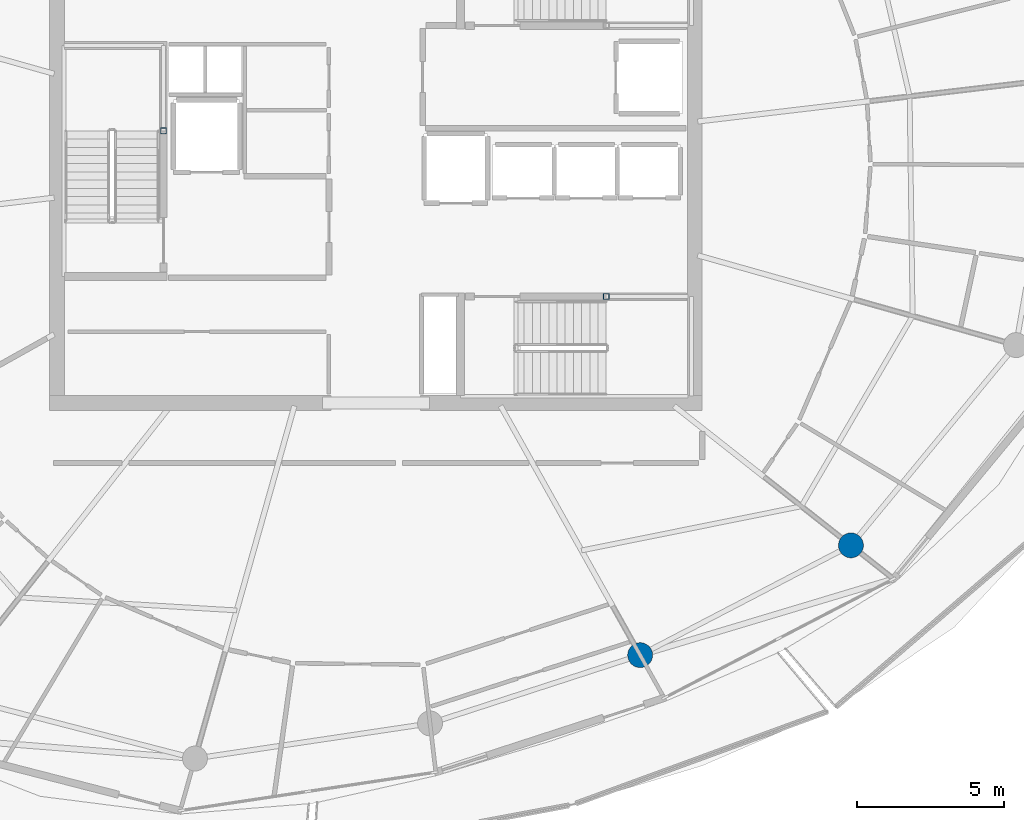
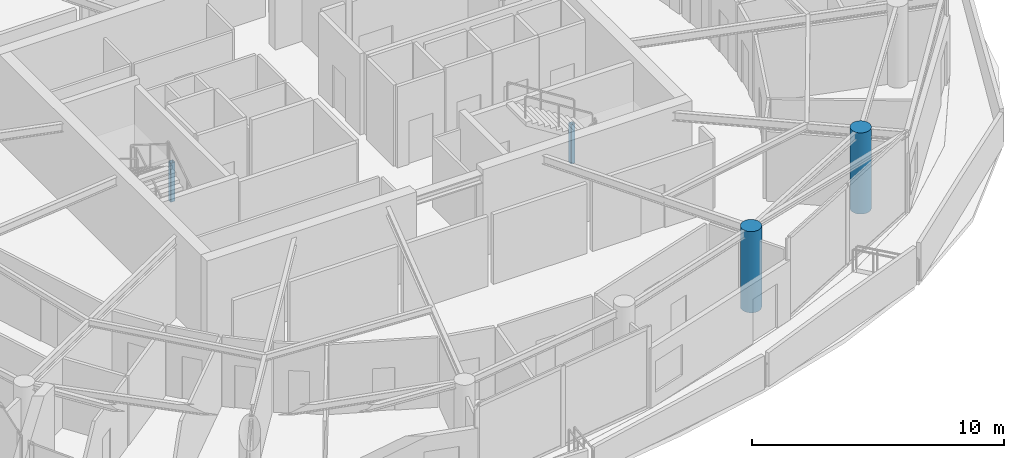
# One storey, part 2 of 20: 4 columns.
"""IFC4 building model written with IfcOpenShell, lengths in metres."""

import ifcopenshell
import ifcopenshell.guid

model = None  # the IFC model being written
_history = None  # IfcOwnerHistory: only IFC2X3 demands one
_inside = {}  # id of a spatial element -> (the spatial element, [elements in it])
_under = {}  # id of a project, library or spatial element -> (it, [spatial elements below it])
_declared = {}  # id of a project -> (the project, [libraries it declares])
_typed = {}  # id of a type object -> (the type object, [elements of that type])
_made_of = {}  # id of a material, layer set ... -> (it, [elements and type objects made of it])


def new_model(schema):
    """Start an empty IFC model of exactly this schema.

    Asked for "IFC4X3", IfcOpenShell would pick the latest addendum, in which some entities
    have other attributes; the version numbers below select the first issue.
    IFC2X3 requires an IfcOwnerHistory on every rooted entity: one is made here for all.
    """
    global model, _history
    if schema == "IFC4X3":
        model = ifcopenshell.file(schema_version=(4, 3, 0, 0))
    else:
        model = ifcopenshell.file(schema=schema)
    _inside.clear()
    _under.clear()
    _declared.clear()
    _typed.clear()
    _made_of.clear()
    _history = None
    if model.schema == "IFC2X3":
        org = make("IfcOrganization", Name="unknown")
        user = make(
            "IfcPersonAndOrganization",
            ThePerson=make("IfcPerson", FamilyName="unknown"),
            TheOrganization=org,
        )
        app = make(
            "IfcApplication",
            ApplicationDeveloper=org,
            Version="unknown",
            ApplicationFullName="unknown",
            ApplicationIdentifier="unknown",
        )
        _history = make(
            "IfcOwnerHistory",
            OwningUser=user,
            OwningApplication=app,
            ChangeAction="ADDED",
            CreationDate=0,
        )
    return model


def make(cls, **values):
    """One entity of the class cls with the attributes given. An attribute that is None is left unset."""
    return model.create_entity(
        cls, **{name: value for name, value in values.items() if value is not None}
    )


def rooted(cls, **values):
    """An entity with a GlobalId (a new one), such as an element, a storey or a relation."""
    return make(cls, GlobalId=ifcopenshell.guid.new(), OwnerHistory=_history, **values)


def si_unit(unit_type, name, prefix=None):
    """IfcSIUnit, for example si_unit("LENGTHUNIT", "METRE", prefix="MILLI")."""
    return make("IfcSIUnit", UnitType=unit_type, Prefix=prefix, Name=name)


def assignment(units):
    """IfcUnitAssignment: the units of a project."""
    return None if units is None else make("IfcUnitAssignment", Units=units)


def point(xyz):
    """IfcCartesianPoint."""
    return None if xyz is None else make("IfcCartesianPoint", Coordinates=xyz)


def direction(xyz):
    """IfcDirection."""
    return None if xyz is None else make("IfcDirection", DirectionRatios=xyz)


def frame(location, z_axis=None, x_axis=None):
    """IfcAxis2Placement3D, a coordinate frame: its origin and axes. An axis left out is left unset."""
    return make(
        "IfcAxis2Placement3D",
        Location=point(location),
        Axis=direction(z_axis),
        RefDirection=direction(x_axis),
    )


def frame_2d(location, x_axis=None):
    """IfcAxis2Placement2D, a coordinate frame in the plane: its origin and x axis."""
    return make(
        "IfcAxis2Placement2D", Location=point(location), RefDirection=direction(x_axis)
    )


def origin():
    """The frame at (0, 0, 0) with its axes left unset."""
    return frame((0.0, 0.0, 0.0))


def origin_2d():
    """The frame at (0, 0) in the plane with its x axis left unset."""
    return frame_2d((0.0, 0.0))


def place(relative_to, where):
    """IfcLocalPlacement: puts the frame where relative to a parent placement (None: the world)."""
    return make(
        "IfcLocalPlacement", PlacementRelTo=relative_to, RelativePlacement=where
    )


def context(
    kind, dimensions, precision=None, world=None, true_north=None, identifier=None
):
    """IfcGeometricRepresentationContext, for example the 3D "Model" context."""
    return make(
        "IfcGeometricRepresentationContext",
        ContextIdentifier=identifier,
        ContextType=kind,
        CoordinateSpaceDimension=dimensions,
        Precision=precision,
        WorldCoordinateSystem=world,
        TrueNorth=true_north,
    )


def subcontext(parent, identifier, kind, view, scale=None):
    """IfcGeometricRepresentationSubContext, for example "Body" below "Model"."""
    return make(
        "IfcGeometricRepresentationSubContext",
        ContextIdentifier=identifier,
        ContextType=kind,
        ParentContext=parent,
        TargetScale=scale,
        TargetView=view,
    )


def project(units=None, contexts=None):
    """IfcProject with its units and contexts."""
    return rooted(
        "IfcProject",
        Name="project",
        RepresentationContexts=contexts,
        UnitsInContext=assignment(units),
    )


def spatial(cls, under=None, at=None, **own):
    """A site, building, storey or space (cls), placed at a placement, below another one or the project."""
    s = rooted(cls, ObjectPlacement=at, **own)
    if under is not None:
        _under.setdefault(under.id(), (under, []))[1].append(s)
    return s


def profile(cls, at=None, kind="AREA", **sizes):
    """A parametric profile (cls). Its sizes go by their IFC names, for example OverallWidth=200.0."""
    return make(cls, ProfileType=kind, Position=at, **sizes)


def hollow_rectangle(**sizes):
    """IfcRectangleHollowProfileDef."""
    return profile("IfcRectangleHollowProfileDef", **sizes)


def circle(**sizes):
    """IfcCircleProfileDef."""
    return profile("IfcCircleProfileDef", **sizes)


def extrude(swept, where, along, depth):
    """IfcExtrudedAreaSolid: the profile swept, set in the frame where, extruded along a direction by depth."""
    return make(
        "IfcExtrudedAreaSolid",
        SweptArea=swept,
        Position=where,
        ExtrudedDirection=direction(along),
        Depth=depth,
    )


def shape(context_of_items, identifier, shape_type, items):
    """IfcShapeRepresentation: the items that make up one representation, for example the "Body"."""
    return make(
        "IfcShapeRepresentation",
        ContextOfItems=context_of_items,
        RepresentationIdentifier=identifier,
        RepresentationType=shape_type,
        Items=items,
    )


def material(Name=None, Category=None):
    """IfcMaterial."""
    return make("IfcMaterial", Name=Name, Category=Category)


def material_profile(
    of_material, cross_section, Name=None, Category=None, Priority=None
):
    """IfcMaterialProfile: a cross section and its material."""
    return make(
        "IfcMaterialProfile",
        Name=Name,
        Material=of_material,
        Profile=cross_section,
        Priority=Priority,
        Category=Category,
    )


def profile_set(profiles, Name=None, composite=None):
    """IfcMaterialProfileSet."""
    return make(
        "IfcMaterialProfileSet",
        Name=Name,
        MaterialProfiles=profiles,
        CompositeProfile=composite,
    )


def made_of(thing, what):
    """Note that an element or type object is made of a material, layer set ...; save() writes the relation."""
    if what is not None:
        _made_of.setdefault(what.id(), (what, []))[1].append(thing)
    return thing


def type_object(cls, material=None, **own):
    """A type object (cls), such as IfcWallType, which elements share."""
    return made_of(rooted(cls, **own), material)


def element(
    cls,
    number,
    at=None,
    inside=None,
    cuts=None,
    type_object=None,
    material=None,
    context=None,
    identifier="Body",
    shape_type=None,
    held_by="IfcProductDefinitionShape",
    body=None,
    shapes=None,
    **own,
):
    """One element of the class cls, such as IfcWall. Its Tag is "e" and its number.

    at: its placement. inside: the storey or other place that contains it. cuts: it is an
    opening in that element (IfcRelVoidsElement). A single representation is given by context,
    identifier, shape_type and body (its items); several are given by shapes. held_by: the class
    of the entity that holds the representations. save() writes the other relations.
    """
    e = rooted(cls, Tag="e%d" % number, ObjectPlacement=at, **own)
    if body is not None:
        shapes = [shape(context, identifier, shape_type, body)]
    if shapes is not None:
        e.Representation = make(held_by, Representations=shapes)
    if inside is not None:
        _inside.setdefault(inside.id(), (inside, []))[1].append(e)
    if cuts is not None:
        rooted(
            "IfcRelVoidsElement", RelatingBuildingElement=cuts, RelatedOpeningElement=e
        )
    if type_object is not None:
        _typed.setdefault(type_object.id(), (type_object, []))[1].append(e)
    return made_of(e, material)


def aggregate(whole, parts):
    """IfcRelAggregates: a whole, such as a stair, and the parts it consists of."""
    return rooted("IfcRelAggregates", RelatingObject=whole, RelatedObjects=parts)


def save(model, path):
    """Write the relations noted so far, then the file.

    IfcRelAggregates (storeys below a building ...), IfcRelContainedInSpatialStructure (elements
    in a storey), IfcRelDefinesByType, IfcRelAssociatesMaterial and IfcRelDeclares: one each for
    every whole, place, type object, material and project.
    """
    for whole, parts in _under.values():
        aggregate(whole, parts)
    for where, things in _inside.values():
        rooted(
            "IfcRelContainedInSpatialStructure",
            RelatedElements=things,
            RelatingStructure=where,
        )
    for kind, things in _typed.values():
        rooted("IfcRelDefinesByType", RelatedObjects=things, RelatingType=kind)
    for what, things in _made_of.values():
        rooted("IfcRelAssociatesMaterial", RelatedObjects=things, RelatingMaterial=what)
    for by, libraries in _declared.values():
        rooted("IfcRelDeclares", RelatingContext=by, RelatedDefinitions=libraries)
    model.write(path)


model = new_model("IFC4")

# Units and contexts
model_context = context("Model", 3, precision=1e-05, world=origin(), true_north=direction((0.0, 1.0)))
body_context = subcontext(model_context, "Body", "Model", "MODEL_VIEW")
ifc_project = project(units=[si_unit("LENGTHUNIT", "METRE"), si_unit("AREAUNIT", "SQUARE_METRE"), si_unit("VOLUMEUNIT", "CUBIC_METRE"), si_unit("PLANEANGLEUNIT", "RADIAN"), si_unit("MASSUNIT", "GRAM", prefix="KILO")], contexts=[model_context])

# Site, building, storey
site_placement = place(None, origin())
site = spatial("IfcSite", under=ifc_project, at=site_placement, CompositionType="ELEMENT")
building_placement = place(site_placement, origin())
building = spatial("IfcBuilding", under=site, at=building_placement, Name="Kazma Halo Residences", CompositionType="ELEMENT")
storey_placement = place(building_placement, frame((0.0, 0.0, 317.89990234375)))
storey = spatial("IfcBuildingStorey", under=building, at=storey_placement, Name="L80", CompositionType="ELEMENT", Elevation=317.89990234375)

# Columns
ifc_material_1 = material(Name="Steel S355", Category="steel")
ifc_material_profile_1 = material_profile(ifc_material_1, hollow_rectangle(XDim=0.199951171875, YDim=0.199951171875, WallThickness=0.010009765625, InnerFilletRadius=0.010009765625, OuterFilletRadius=0.02001953125, at=origin_2d()), Name="SHS200x200x10")
ifc_profile_set_1 = profile_set([ifc_material_profile_1], Name="Steel S355")
column_type_1 = type_object("IfcColumnType", Name="COL-LP-SHS200", PredefinedType="COLUMN", material=ifc_profile_set_1)
for number, where, z_axis, x_axis, name in (
    (1, (41.179931640625, 43.030029296875, 0.0), (0.0, 0.0, 1.0), (1.0, 0.0, 0.0), "L80 ST-01 landing pilaster 1"),
    (2, (56.280029296875, 37.3798828125, 0.0), (0.0, 0.0, 1.0), (1.0, 0.0, 0.0), "L80 ST-03 landing pilaster 1"),
):
    element("IfcColumn", number, at=place(storey_placement, frame(where, z_axis=z_axis, x_axis=x_axis)), inside=storey, type_object=column_type_1, Name=name, PredefinedType="COLUMN", context=body_context, shape_type="SweptSolid", body=[
        extrude(hollow_rectangle(XDim=0.199951171875, YDim=0.199951171875, WallThickness=0.010009765625, InnerFilletRadius=0.010009765625, OuterFilletRadius=0.02001953125, at=origin_2d()), origin(), (0.0, 0.0, 1.0), 1.89501953125),
    ])
ifc_material_2 = material(Name="Concrete C60/75", Category="concrete")
ifc_material_profile_2 = material_profile(ifc_material_2, circle(Radius=0.425048828125, at=origin_2d()), Name="CIRC850")
ifc_profile_set_2 = profile_set([ifc_material_profile_2], Name="Concrete C60/75")
column_type_2 = type_object("IfcColumnType", Name="COL-PERIM-850", PredefinedType="COLUMN", material=ifc_profile_set_2)
for number, where, z_axis, x_axis, name in (
    (3, (57.436767578125, 25.1494140625, 0.0), (0.0, 0.0, 1.0), (1.0, 0.0, 0.0), "L80 perimeter ring column P13"),
    (4, (64.626220703125, 28.89306640625, 0.0), (0.0, 0.0, 1.0), (1.0, 0.0, 0.0), "L80 perimeter ring column P14"),
):
    element("IfcColumn", number, at=place(storey_placement, frame(where, z_axis=z_axis, x_axis=x_axis)), inside=storey, type_object=column_type_2, Name=name, PredefinedType="COLUMN", context=body_context, shape_type="SweptSolid", body=[
        extrude(circle(Radius=0.425048828125, at=origin_2d()), origin(), (0.0, 0.0, 1.0), 3.940185546875),
    ])

save(model, "model.ifc")
